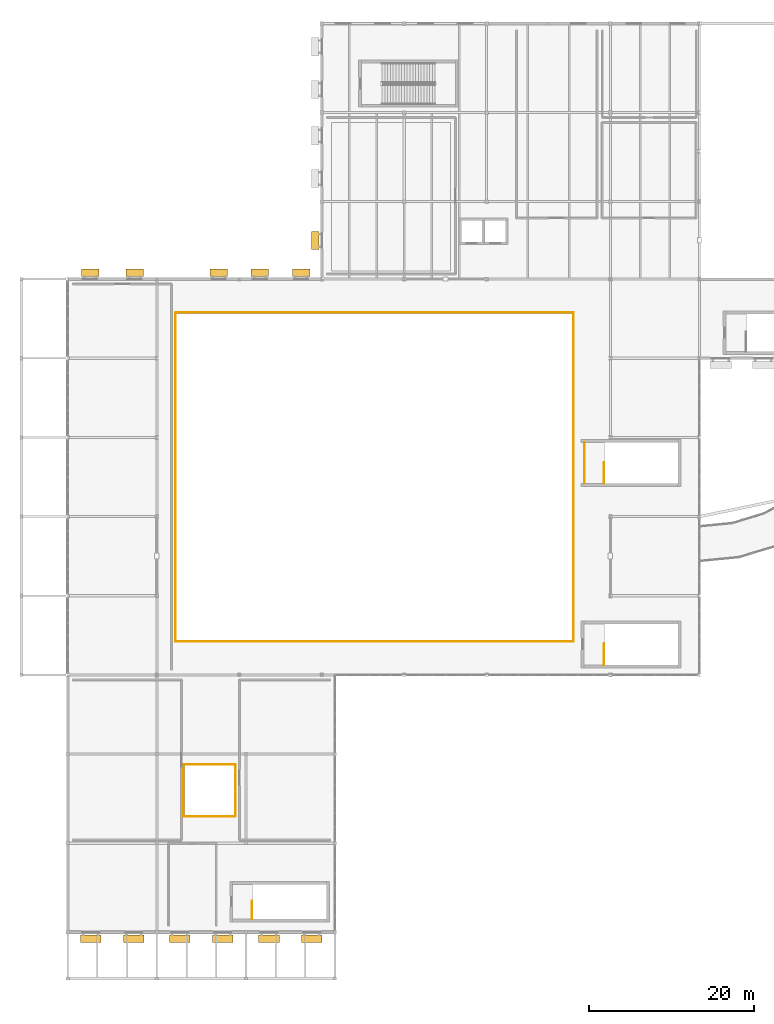
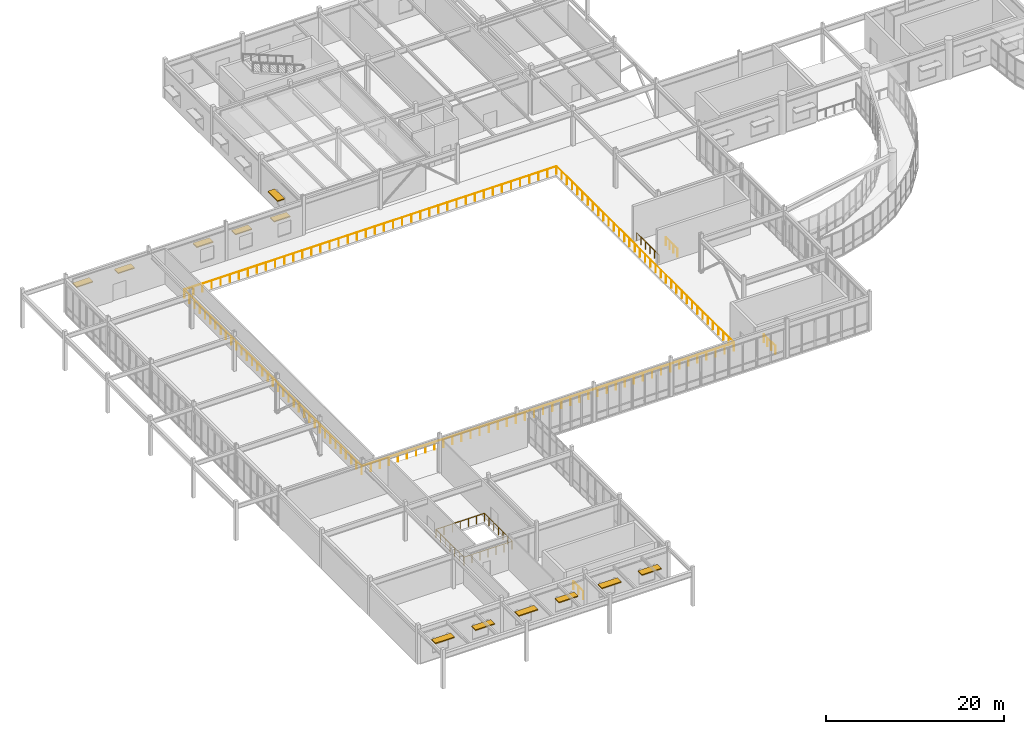
# One storey, part 63 of 68: 12 shading devices, 8 railings.
"""IFC4 building model written with IfcOpenShell, lengths in metres."""

from ifc_helpers import new_model, si_unit, direction, frame, origin, origin_2d, place, context, subcontext, project, spatial, rectangle, circle, extrude, material, type_object, element, save


model = new_model("IFC4")

# Units and contexts
model_context = context("Model", 3, precision=1e-05, world=origin(), true_north=direction((0.0, 1.0)))
body_context = subcontext(model_context, "Body", "Model", "MODEL_VIEW")
ifc_project = project(units=[si_unit("LENGTHUNIT", "METRE"), si_unit("AREAUNIT", "SQUARE_METRE"), si_unit("VOLUMEUNIT", "CUBIC_METRE"), si_unit("PLANEANGLEUNIT", "RADIAN"), si_unit("MASSUNIT", "GRAM", prefix="KILO")], contexts=[model_context])

# Site, building, storey
site_placement = place(None, origin())
site = spatial("IfcSite", under=ifc_project, at=site_placement, CompositionType="ELEMENT")
building_placement = place(site_placement, origin())
building = spatial("IfcBuilding", under=site, at=building_placement, Name="Veldera Park Congress Hotel", CompositionType="ELEMENT")
storey_placement = place(building_placement, frame((0.0, 0.0, 10.800048828125)))
storey = spatial("IfcBuildingStorey", under=building, at=storey_placement, Name="L02", CompositionType="ELEMENT", Elevation=10.800048828125)

# Railings
ifc_material_1 = material(Name="Steel ASTM A992 Gr.50", Category="steel")
railing_type_1 = type_object("IfcRailingType", Name="GRD-INT112", PredefinedType="GUARDRAIL", material=ifc_material_1)
railing_1_placement = place(storey_placement, frame((-65.14990234375, 22.909912109375, 0.0)))
element("IfcRailing", 1, at=railing_1_placement, inside=storey, type_object=railing_type_1, Name="L02 Atrium Void Guard GRD3-VOID-L02-V1-SW", PredefinedType="GUARDRAIL", context=body_context, shape_type="SweptSolid", body=[
    extrude(circle(Radius=0.02392578125, at=origin_2d()), frame((0.0, 0.0, 1.09619140625), z_axis=(0.0, -1.0, 0.0), x_axis=(1.0, 0.0, 0.0)), (0.0, 0.0, 1.0), 39.85986328125),
    extrude(circle(Radius=0.02392578125, at=origin_2d()), frame((0.0, -39.85986328125, 1.09619140625), z_axis=(1.0, 0.0, 0.0), x_axis=(0.0, 1.0, 0.0)), (0.0, 0.0, 1.0), 48.260009765625),
    extrude(circle(Radius=0.02099609375, at=origin_2d()), origin(), (0.0, 0.0, 1.0), 1.072021484375),
    extrude(circle(Radius=0.02099609375, at=origin_2d()), frame((0.0, -1.17236328125, 0.0)), (0.0, 0.0, 1.0), 1.072021484375),
    extrude(circle(Radius=0.02099609375, at=origin_2d()), frame((0.0, -2.3447265625, 0.0)), (0.0, 0.0, 1.0), 1.072021484375),
    extrude(circle(Radius=0.02099609375, at=origin_2d()), frame((0.0, -3.51708984375, 0.0)), (0.0, 0.0, 1.0), 1.072021484375),
    extrude(circle(Radius=0.02099609375, at=origin_2d()), frame((0.0, -4.689453125, 0.0)), (0.0, 0.0, 1.0), 1.072021484375),
    extrude(circle(Radius=0.02099609375, at=origin_2d()), frame((0.0, -5.86181640625, 0.0)), (0.0, 0.0, 1.0), 1.072021484375),
    extrude(circle(Radius=0.02099609375, at=origin_2d()), frame((0.0, -7.0341796875, 0.0)), (0.0, 0.0, 1.0), 1.072021484375),
    extrude(circle(Radius=0.02099609375, at=origin_2d()), frame((0.0, -8.20654296875, 0.0)), (0.0, 0.0, 1.0), 1.072021484375),
    extrude(circle(Radius=0.02099609375, at=origin_2d()), frame((0.0, -9.37890625, 0.0)), (0.0, 0.0, 1.0), 1.072021484375),
    extrude(circle(Radius=0.02099609375, at=origin_2d()), frame((0.0, -10.551025390625, 0.0)), (0.0, 0.0, 1.0), 1.072021484375),
    extrude(circle(Radius=0.02099609375, at=origin_2d()), frame((0.0, -11.723388671875, 0.0)), (0.0, 0.0, 1.0), 1.072021484375),
    extrude(circle(Radius=0.02099609375, at=origin_2d()), frame((0.0, -12.895751953125, 0.0)), (0.0, 0.0, 1.0), 1.072021484375),
    extrude(circle(Radius=0.02099609375, at=origin_2d()), frame((0.0, -14.068115234375, 0.0)), (0.0, 0.0, 1.0), 1.072021484375),
    extrude(circle(Radius=0.02099609375, at=origin_2d()), frame((0.0, -15.240478515625, 0.0)), (0.0, 0.0, 1.0), 1.072021484375),
    extrude(circle(Radius=0.02099609375, at=origin_2d()), frame((0.0, -16.412841796875, 0.0)), (0.0, 0.0, 1.0), 1.072021484375),
    extrude(circle(Radius=0.02099609375, at=origin_2d()), frame((0.0, -17.585205078125, 0.0)), (0.0, 0.0, 1.0), 1.072021484375),
    extrude(circle(Radius=0.02099609375, at=origin_2d()), frame((0.0, -18.757568359375, 0.0)), (0.0, 0.0, 1.0), 1.072021484375),
    extrude(circle(Radius=0.02099609375, at=origin_2d()), frame((0.0, -19.929931640625, 0.0)), (0.0, 0.0, 1.0), 1.072021484375),
    extrude(circle(Radius=0.02099609375, at=origin_2d()), frame((0.0, -21.102294921875, 0.0)), (0.0, 0.0, 1.0), 1.072021484375),
    extrude(circle(Radius=0.02099609375, at=origin_2d()), frame((0.0, -22.274658203125, 0.0)), (0.0, 0.0, 1.0), 1.072021484375),
    extrude(circle(Radius=0.02099609375, at=origin_2d()), frame((0.0, -23.447021484375, 0.0)), (0.0, 0.0, 1.0), 1.072021484375),
    extrude(circle(Radius=0.02099609375, at=origin_2d()), frame((0.0, -24.619384765625, 0.0)), (0.0, 0.0, 1.0), 1.072021484375),
    extrude(circle(Radius=0.02099609375, at=origin_2d()), frame((0.0, -25.791748046875, 0.0)), (0.0, 0.0, 1.0), 1.072021484375),
    extrude(circle(Radius=0.02099609375, at=origin_2d()), frame((0.0, -26.964111328125, 0.0)), (0.0, 0.0, 1.0), 1.072021484375),
    extrude(circle(Radius=0.02099609375, at=origin_2d()), frame((0.0, -28.136474609375, 0.0)), (0.0, 0.0, 1.0), 1.072021484375),
    extrude(circle(Radius=0.02099609375, at=origin_2d()), frame((0.0, -29.308837890625, 0.0)), (0.0, 0.0, 1.0), 1.072021484375),
    extrude(circle(Radius=0.02099609375, at=origin_2d()), frame((0.0, -30.48095703125, 0.0)), (0.0, 0.0, 1.0), 1.072021484375),
    extrude(circle(Radius=0.02099609375, at=origin_2d()), frame((0.0, -31.6533203125, 0.0)), (0.0, 0.0, 1.0), 1.072021484375),
    extrude(circle(Radius=0.02099609375, at=origin_2d()), frame((0.0, -32.82568359375, 0.0)), (0.0, 0.0, 1.0), 1.072021484375),
    extrude(circle(Radius=0.02099609375, at=origin_2d()), frame((0.0, -33.998046875, 0.0)), (0.0, 0.0, 1.0), 1.072021484375),
    extrude(circle(Radius=0.02099609375, at=origin_2d()), frame((0.0, -35.17041015625, 0.0)), (0.0, 0.0, 1.0), 1.072021484375),
    extrude(circle(Radius=0.02099609375, at=origin_2d()), frame((0.0, -36.3427734375, 0.0)), (0.0, 0.0, 1.0), 1.072021484375),
    extrude(circle(Radius=0.02099609375, at=origin_2d()), frame((0.0, -37.51513671875, 0.0)), (0.0, 0.0, 1.0), 1.072021484375),
    extrude(circle(Radius=0.02099609375, at=origin_2d()), frame((0.0, -38.6875, 0.0)), (0.0, 0.0, 1.0), 1.072021484375),
    extrude(circle(Radius=0.02099609375, at=origin_2d()), frame((0.0, -39.85986328125, 0.0)), (0.0, 0.0, 1.0), 1.072021484375),
    extrude(circle(Radius=0.02099609375, at=origin_2d()), frame((1.177001953125, -39.85986328125, 0.0)), (0.0, 0.0, 1.0), 1.072021484375),
    extrude(circle(Radius=0.02099609375, at=origin_2d()), frame((2.354248046875, -39.85986328125, 0.0)), (0.0, 0.0, 1.0), 1.072021484375),
    extrude(circle(Radius=0.02099609375, at=origin_2d()), frame((3.53125, -39.85986328125, 0.0)), (0.0, 0.0, 1.0), 1.072021484375),
    extrude(circle(Radius=0.02099609375, at=origin_2d()), frame((4.708251953125, -39.85986328125, 0.0)), (0.0, 0.0, 1.0), 1.072021484375),
    extrude(circle(Radius=0.02099609375, at=origin_2d()), frame((5.88525390625, -39.85986328125, 0.0)), (0.0, 0.0, 1.0), 1.072021484375),
    extrude(circle(Radius=0.02099609375, at=origin_2d()), frame((7.0625, -39.85986328125, 0.0)), (0.0, 0.0, 1.0), 1.072021484375),
    extrude(circle(Radius=0.02099609375, at=origin_2d()), frame((8.239501953125, -39.85986328125, 0.0)), (0.0, 0.0, 1.0), 1.072021484375),
    extrude(circle(Radius=0.02099609375, at=origin_2d()), frame((9.41650390625, -39.85986328125, 0.0)), (0.0, 0.0, 1.0), 1.072021484375),
    extrude(circle(Radius=0.02099609375, at=origin_2d()), frame((10.59375, -39.85986328125, 0.0)), (0.0, 0.0, 1.0), 1.072021484375),
    extrude(circle(Radius=0.02099609375, at=origin_2d()), frame((11.770751953125, -39.85986328125, 0.0)), (0.0, 0.0, 1.0), 1.072021484375),
    extrude(circle(Radius=0.02099609375, at=origin_2d()), frame((12.94775390625, -39.85986328125, 0.0)), (0.0, 0.0, 1.0), 1.072021484375),
    extrude(circle(Radius=0.02099609375, at=origin_2d()), frame((14.125, -39.85986328125, 0.0)), (0.0, 0.0, 1.0), 1.072021484375),
    extrude(circle(Radius=0.02099609375, at=origin_2d()), frame((15.302001953125, -39.85986328125, 0.0)), (0.0, 0.0, 1.0), 1.072021484375),
    extrude(circle(Radius=0.02099609375, at=origin_2d()), frame((16.47900390625, -39.85986328125, 0.0)), (0.0, 0.0, 1.0), 1.072021484375),
    extrude(circle(Radius=0.02099609375, at=origin_2d()), frame((17.656005859375, -39.85986328125, 0.0)), (0.0, 0.0, 1.0), 1.072021484375),
    extrude(circle(Radius=0.02099609375, at=origin_2d()), frame((18.833251953125, -39.85986328125, 0.0)), (0.0, 0.0, 1.0), 1.072021484375),
    extrude(circle(Radius=0.02099609375, at=origin_2d()), frame((20.01025390625, -39.85986328125, 0.0)), (0.0, 0.0, 1.0), 1.072021484375),
    extrude(circle(Radius=0.02099609375, at=origin_2d()), frame((21.187255859375, -39.85986328125, 0.0)), (0.0, 0.0, 1.0), 1.072021484375),
    extrude(circle(Radius=0.02099609375, at=origin_2d()), frame((22.364501953125, -39.85986328125, 0.0)), (0.0, 0.0, 1.0), 1.072021484375),
    extrude(circle(Radius=0.02099609375, at=origin_2d()), frame((23.54150390625, -39.85986328125, 0.0)), (0.0, 0.0, 1.0), 1.072021484375),
    extrude(circle(Radius=0.02099609375, at=origin_2d()), frame((24.718505859375, -39.85986328125, 0.0)), (0.0, 0.0, 1.0), 1.072021484375),
    extrude(circle(Radius=0.02099609375, at=origin_2d()), frame((25.8955078125, -39.85986328125, 0.0)), (0.0, 0.0, 1.0), 1.072021484375),
    extrude(circle(Radius=0.02099609375, at=origin_2d()), frame((27.07275390625, -39.85986328125, 0.0)), (0.0, 0.0, 1.0), 1.072021484375),
    extrude(circle(Radius=0.02099609375, at=origin_2d()), frame((28.249755859375, -39.85986328125, 0.0)), (0.0, 0.0, 1.0), 1.072021484375),
    extrude(circle(Radius=0.02099609375, at=origin_2d()), frame((29.4267578125, -39.85986328125, 0.0)), (0.0, 0.0, 1.0), 1.072021484375),
    extrude(circle(Radius=0.02099609375, at=origin_2d()), frame((30.60400390625, -39.85986328125, 0.0)), (0.0, 0.0, 1.0), 1.072021484375),
    extrude(circle(Radius=0.02099609375, at=origin_2d()), frame((31.781005859375, -39.85986328125, 0.0)), (0.0, 0.0, 1.0), 1.072021484375),
    extrude(circle(Radius=0.02099609375, at=origin_2d()), frame((32.9580078125, -39.85986328125, 0.0)), (0.0, 0.0, 1.0), 1.072021484375),
    extrude(circle(Radius=0.02099609375, at=origin_2d()), frame((34.135009765625, -39.85986328125, 0.0)), (0.0, 0.0, 1.0), 1.072021484375),
    extrude(circle(Radius=0.02099609375, at=origin_2d()), frame((35.312255859375, -39.85986328125, 0.0)), (0.0, 0.0, 1.0), 1.072021484375),
    extrude(circle(Radius=0.02099609375, at=origin_2d()), frame((36.4892578125, -39.85986328125, 0.0)), (0.0, 0.0, 1.0), 1.072021484375),
    extrude(circle(Radius=0.02099609375, at=origin_2d()), frame((37.666259765625, -39.85986328125, 0.0)), (0.0, 0.0, 1.0), 1.072021484375),
    extrude(circle(Radius=0.02099609375, at=origin_2d()), frame((38.843505859375, -39.85986328125, 0.0)), (0.0, 0.0, 1.0), 1.072021484375),
    extrude(circle(Radius=0.02099609375, at=origin_2d()), frame((40.0205078125, -39.85986328125, 0.0)), (0.0, 0.0, 1.0), 1.072021484375),
    extrude(circle(Radius=0.02099609375, at=origin_2d()), frame((41.197509765625, -39.85986328125, 0.0)), (0.0, 0.0, 1.0), 1.072021484375),
    extrude(circle(Radius=0.02099609375, at=origin_2d()), frame((42.374755859375, -39.85986328125, 0.0)), (0.0, 0.0, 1.0), 1.072021484375),
    extrude(circle(Radius=0.02099609375, at=origin_2d()), frame((43.5517578125, -39.85986328125, 0.0)), (0.0, 0.0, 1.0), 1.072021484375),
    extrude(circle(Radius=0.02099609375, at=origin_2d()), frame((44.728759765625, -39.85986328125, 0.0)), (0.0, 0.0, 1.0), 1.072021484375),
    extrude(circle(Radius=0.02099609375, at=origin_2d()), frame((45.90576171875, -39.85986328125, 0.0)), (0.0, 0.0, 1.0), 1.072021484375),
    extrude(circle(Radius=0.02099609375, at=origin_2d()), frame((47.0830078125, -39.85986328125, 0.0)), (0.0, 0.0, 1.0), 1.072021484375),
    extrude(circle(Radius=0.02099609375, at=origin_2d()), frame((48.260009765625, -39.85986328125, 0.0)), (0.0, 0.0, 1.0), 1.072021484375),
])
railing_2_placement = place(storey_placement, frame((-16.85009765625, -16.909912109375, 0.0)))
element("IfcRailing", 2, at=railing_2_placement, inside=storey, type_object=railing_type_1, Name="L02 Atrium Void Guard GRD3-VOID-L02-V1-NE", PredefinedType="GUARDRAIL", context=body_context, shape_type="SweptSolid", body=[
    extrude(circle(Radius=0.02392578125, at=origin_2d()), frame((0.0, 0.0, 1.09619140625), z_axis=(0.0, 1.0, 0.0), x_axis=(-1.0, 0.0, 0.0)), (0.0, 0.0, 1.0), 39.85986328125),
    extrude(circle(Radius=0.02392578125, at=origin_2d()), frame((0.0, 39.85986328125, 1.09619140625), z_axis=(-1.0, 0.0, 0.0), x_axis=(0.0, -1.0, 0.0)), (0.0, 0.0, 1.0), 48.260009765625),
    extrude(circle(Radius=0.02099609375, at=origin_2d()), origin(), (0.0, 0.0, 1.0), 1.072021484375),
    extrude(circle(Radius=0.02099609375, at=origin_2d()), frame((0.0, 1.17236328125, 0.0)), (0.0, 0.0, 1.0), 1.072021484375),
    extrude(circle(Radius=0.02099609375, at=origin_2d()), frame((0.0, 2.3447265625, 0.0)), (0.0, 0.0, 1.0), 1.072021484375),
    extrude(circle(Radius=0.02099609375, at=origin_2d()), frame((0.0, 3.51708984375, 0.0)), (0.0, 0.0, 1.0), 1.072021484375),
    extrude(circle(Radius=0.02099609375, at=origin_2d()), frame((0.0, 4.689453125, 0.0)), (0.0, 0.0, 1.0), 1.072021484375),
    extrude(circle(Radius=0.02099609375, at=origin_2d()), frame((0.0, 5.86181640625, 0.0)), (0.0, 0.0, 1.0), 1.072021484375),
    extrude(circle(Radius=0.02099609375, at=origin_2d()), frame((0.0, 7.0341796875, 0.0)), (0.0, 0.0, 1.0), 1.072021484375),
    extrude(circle(Radius=0.02099609375, at=origin_2d()), frame((0.0, 8.20654296875, 0.0)), (0.0, 0.0, 1.0), 1.072021484375),
    extrude(circle(Radius=0.02099609375, at=origin_2d()), frame((0.0, 9.37890625, 0.0)), (0.0, 0.0, 1.0), 1.072021484375),
    extrude(circle(Radius=0.02099609375, at=origin_2d()), frame((0.0, 10.551025390625, 0.0)), (0.0, 0.0, 1.0), 1.072021484375),
    extrude(circle(Radius=0.02099609375, at=origin_2d()), frame((0.0, 11.723388671875, 0.0)), (0.0, 0.0, 1.0), 1.072021484375),
    extrude(circle(Radius=0.02099609375, at=origin_2d()), frame((0.0, 12.895751953125, 0.0)), (0.0, 0.0, 1.0), 1.072021484375),
    extrude(circle(Radius=0.02099609375, at=origin_2d()), frame((0.0, 14.068115234375, 0.0)), (0.0, 0.0, 1.0), 1.072021484375),
    extrude(circle(Radius=0.02099609375, at=origin_2d()), frame((0.0, 15.240478515625, 0.0)), (0.0, 0.0, 1.0), 1.072021484375),
    extrude(circle(Radius=0.02099609375, at=origin_2d()), frame((0.0, 16.412841796875, 0.0)), (0.0, 0.0, 1.0), 1.072021484375),
    extrude(circle(Radius=0.02099609375, at=origin_2d()), frame((0.0, 17.585205078125, 0.0)), (0.0, 0.0, 1.0), 1.072021484375),
    extrude(circle(Radius=0.02099609375, at=origin_2d()), frame((0.0, 18.757568359375, 0.0)), (0.0, 0.0, 1.0), 1.072021484375),
    extrude(circle(Radius=0.02099609375, at=origin_2d()), frame((0.0, 19.929931640625, 0.0)), (0.0, 0.0, 1.0), 1.072021484375),
    extrude(circle(Radius=0.02099609375, at=origin_2d()), frame((0.0, 21.102294921875, 0.0)), (0.0, 0.0, 1.0), 1.072021484375),
    extrude(circle(Radius=0.02099609375, at=origin_2d()), frame((0.0, 22.274658203125, 0.0)), (0.0, 0.0, 1.0), 1.072021484375),
    extrude(circle(Radius=0.02099609375, at=origin_2d()), frame((0.0, 23.447021484375, 0.0)), (0.0, 0.0, 1.0), 1.072021484375),
    extrude(circle(Radius=0.02099609375, at=origin_2d()), frame((0.0, 24.619384765625, 0.0)), (0.0, 0.0, 1.0), 1.072021484375),
    extrude(circle(Radius=0.02099609375, at=origin_2d()), frame((0.0, 25.791748046875, 0.0)), (0.0, 0.0, 1.0), 1.072021484375),
    extrude(circle(Radius=0.02099609375, at=origin_2d()), frame((0.0, 26.964111328125, 0.0)), (0.0, 0.0, 1.0), 1.072021484375),
    extrude(circle(Radius=0.02099609375, at=origin_2d()), frame((0.0, 28.136474609375, 0.0)), (0.0, 0.0, 1.0), 1.072021484375),
    extrude(circle(Radius=0.02099609375, at=origin_2d()), frame((0.0, 29.308837890625, 0.0)), (0.0, 0.0, 1.0), 1.072021484375),
    extrude(circle(Radius=0.02099609375, at=origin_2d()), frame((0.0, 30.48095703125, 0.0)), (0.0, 0.0, 1.0), 1.072021484375),
    extrude(circle(Radius=0.02099609375, at=origin_2d()), frame((0.0, 31.6533203125, 0.0)), (0.0, 0.0, 1.0), 1.072021484375),
    extrude(circle(Radius=0.02099609375, at=origin_2d()), frame((0.0, 32.82568359375, 0.0)), (0.0, 0.0, 1.0), 1.072021484375),
    extrude(circle(Radius=0.02099609375, at=origin_2d()), frame((0.0, 33.998046875, 0.0)), (0.0, 0.0, 1.0), 1.072021484375),
    extrude(circle(Radius=0.02099609375, at=origin_2d()), frame((0.0, 35.17041015625, 0.0)), (0.0, 0.0, 1.0), 1.072021484375),
    extrude(circle(Radius=0.02099609375, at=origin_2d()), frame((0.0, 36.3427734375, 0.0)), (0.0, 0.0, 1.0), 1.072021484375),
    extrude(circle(Radius=0.02099609375, at=origin_2d()), frame((0.0, 37.51513671875, 0.0)), (0.0, 0.0, 1.0), 1.072021484375),
    extrude(circle(Radius=0.02099609375, at=origin_2d()), frame((0.0, 38.6875, 0.0)), (0.0, 0.0, 1.0), 1.072021484375),
    extrude(circle(Radius=0.02099609375, at=origin_2d()), frame((0.0, 39.85986328125, 0.0)), (0.0, 0.0, 1.0), 1.072021484375),
    extrude(circle(Radius=0.02099609375, at=origin_2d()), frame((-1.177001953125, 39.85986328125, 0.0)), (0.0, 0.0, 1.0), 1.072021484375),
    extrude(circle(Radius=0.02099609375, at=origin_2d()), frame((-2.354248046875, 39.85986328125, 0.0)), (0.0, 0.0, 1.0), 1.072021484375),
    extrude(circle(Radius=0.02099609375, at=origin_2d()), frame((-3.53125, 39.85986328125, 0.0)), (0.0, 0.0, 1.0), 1.072021484375),
    extrude(circle(Radius=0.02099609375, at=origin_2d()), frame((-4.708251953125, 39.85986328125, 0.0)), (0.0, 0.0, 1.0), 1.072021484375),
    extrude(circle(Radius=0.02099609375, at=origin_2d()), frame((-5.88525390625, 39.85986328125, 0.0)), (0.0, 0.0, 1.0), 1.072021484375),
    extrude(circle(Radius=0.02099609375, at=origin_2d()), frame((-7.0625, 39.85986328125, 0.0)), (0.0, 0.0, 1.0), 1.072021484375),
    extrude(circle(Radius=0.02099609375, at=origin_2d()), frame((-8.239501953125, 39.85986328125, 0.0)), (0.0, 0.0, 1.0), 1.072021484375),
    extrude(circle(Radius=0.02099609375, at=origin_2d()), frame((-9.41650390625, 39.85986328125, 0.0)), (0.0, 0.0, 1.0), 1.072021484375),
    extrude(circle(Radius=0.02099609375, at=origin_2d()), frame((-10.59375, 39.85986328125, 0.0)), (0.0, 0.0, 1.0), 1.072021484375),
    extrude(circle(Radius=0.02099609375, at=origin_2d()), frame((-11.770751953125, 39.85986328125, 0.0)), (0.0, 0.0, 1.0), 1.072021484375),
    extrude(circle(Radius=0.02099609375, at=origin_2d()), frame((-12.94775390625, 39.85986328125, 0.0)), (0.0, 0.0, 1.0), 1.072021484375),
    extrude(circle(Radius=0.02099609375, at=origin_2d()), frame((-14.125, 39.85986328125, 0.0)), (0.0, 0.0, 1.0), 1.072021484375),
    extrude(circle(Radius=0.02099609375, at=origin_2d()), frame((-15.302001953125, 39.85986328125, 0.0)), (0.0, 0.0, 1.0), 1.072021484375),
    extrude(circle(Radius=0.02099609375, at=origin_2d()), frame((-16.47900390625, 39.85986328125, 0.0)), (0.0, 0.0, 1.0), 1.072021484375),
    extrude(circle(Radius=0.02099609375, at=origin_2d()), frame((-17.656005859375, 39.85986328125, 0.0)), (0.0, 0.0, 1.0), 1.072021484375),
    extrude(circle(Radius=0.02099609375, at=origin_2d()), frame((-18.833251953125, 39.85986328125, 0.0)), (0.0, 0.0, 1.0), 1.072021484375),
    extrude(circle(Radius=0.02099609375, at=origin_2d()), frame((-20.01025390625, 39.85986328125, 0.0)), (0.0, 0.0, 1.0), 1.072021484375),
    extrude(circle(Radius=0.02099609375, at=origin_2d()), frame((-21.187255859375, 39.85986328125, 0.0)), (0.0, 0.0, 1.0), 1.072021484375),
    extrude(circle(Radius=0.02099609375, at=origin_2d()), frame((-22.364501953125, 39.85986328125, 0.0)), (0.0, 0.0, 1.0), 1.072021484375),
    extrude(circle(Radius=0.02099609375, at=origin_2d()), frame((-23.54150390625, 39.85986328125, 0.0)), (0.0, 0.0, 1.0), 1.072021484375),
    extrude(circle(Radius=0.02099609375, at=origin_2d()), frame((-24.718505859375, 39.85986328125, 0.0)), (0.0, 0.0, 1.0), 1.072021484375),
    extrude(circle(Radius=0.02099609375, at=origin_2d()), frame((-25.8955078125, 39.85986328125, 0.0)), (0.0, 0.0, 1.0), 1.072021484375),
    extrude(circle(Radius=0.02099609375, at=origin_2d()), frame((-27.07275390625, 39.85986328125, 0.0)), (0.0, 0.0, 1.0), 1.072021484375),
    extrude(circle(Radius=0.02099609375, at=origin_2d()), frame((-28.249755859375, 39.85986328125, 0.0)), (0.0, 0.0, 1.0), 1.072021484375),
    extrude(circle(Radius=0.02099609375, at=origin_2d()), frame((-29.4267578125, 39.85986328125, 0.0)), (0.0, 0.0, 1.0), 1.072021484375),
    extrude(circle(Radius=0.02099609375, at=origin_2d()), frame((-30.60400390625, 39.85986328125, 0.0)), (0.0, 0.0, 1.0), 1.072021484375),
    extrude(circle(Radius=0.02099609375, at=origin_2d()), frame((-31.781005859375, 39.85986328125, 0.0)), (0.0, 0.0, 1.0), 1.072021484375),
    extrude(circle(Radius=0.02099609375, at=origin_2d()), frame((-32.9580078125, 39.85986328125, 0.0)), (0.0, 0.0, 1.0), 1.072021484375),
    extrude(circle(Radius=0.02099609375, at=origin_2d()), frame((-34.135009765625, 39.85986328125, 0.0)), (0.0, 0.0, 1.0), 1.072021484375),
    extrude(circle(Radius=0.02099609375, at=origin_2d()), frame((-35.312255859375, 39.85986328125, 0.0)), (0.0, 0.0, 1.0), 1.072021484375),
    extrude(circle(Radius=0.02099609375, at=origin_2d()), frame((-36.4892578125, 39.85986328125, 0.0)), (0.0, 0.0, 1.0), 1.072021484375),
    extrude(circle(Radius=0.02099609375, at=origin_2d()), frame((-37.666259765625, 39.85986328125, 0.0)), (0.0, 0.0, 1.0), 1.072021484375),
    extrude(circle(Radius=0.02099609375, at=origin_2d()), frame((-38.843505859375, 39.85986328125, 0.0)), (0.0, 0.0, 1.0), 1.072021484375),
    extrude(circle(Radius=0.02099609375, at=origin_2d()), frame((-40.0205078125, 39.85986328125, 0.0)), (0.0, 0.0, 1.0), 1.072021484375),
    extrude(circle(Radius=0.02099609375, at=origin_2d()), frame((-41.197509765625, 39.85986328125, 0.0)), (0.0, 0.0, 1.0), 1.072021484375),
    extrude(circle(Radius=0.02099609375, at=origin_2d()), frame((-42.374755859375, 39.85986328125, 0.0)), (0.0, 0.0, 1.0), 1.072021484375),
    extrude(circle(Radius=0.02099609375, at=origin_2d()), frame((-43.5517578125, 39.85986328125, 0.0)), (0.0, 0.0, 1.0), 1.072021484375),
    extrude(circle(Radius=0.02099609375, at=origin_2d()), frame((-44.728759765625, 39.85986328125, 0.0)), (0.0, 0.0, 1.0), 1.072021484375),
    extrude(circle(Radius=0.02099609375, at=origin_2d()), frame((-45.90576171875, 39.85986328125, 0.0)), (0.0, 0.0, 1.0), 1.072021484375),
    extrude(circle(Radius=0.02099609375, at=origin_2d()), frame((-47.0830078125, 39.85986328125, 0.0)), (0.0, 0.0, 1.0), 1.072021484375),
    extrude(circle(Radius=0.02099609375, at=origin_2d()), frame((-48.260009765625, 39.85986328125, 0.0)), (0.0, 0.0, 1.0), 1.072021484375),
])
railing_3_placement = place(storey_placement, frame((-64.14990234375, -31.889892578125, 0.0)))
element("IfcRailing", 3, at=railing_3_placement, inside=storey, type_object=railing_type_1, Name="L02 Atrium Void Guard GRD3-VOID-L02-V3-SW", PredefinedType="GUARDRAIL", context=body_context, shape_type="SweptSolid", body=[
    extrude(circle(Radius=0.02392578125, at=origin_2d()), frame((0.0, 0.0, 1.09619140625), z_axis=(0.0, -1.0, 0.0), x_axis=(1.0, 0.0, 0.0)), (0.0, 0.0, 1.0), 6.260009765625),
    extrude(circle(Radius=0.02392578125, at=origin_2d()), frame((0.0, -6.260009765625, 1.09619140625), z_axis=(1.0, 0.0, 0.0), x_axis=(0.0, 1.0, 0.0)), (0.0, 0.0, 1.0), 6.260009765625),
    extrude(circle(Radius=0.02099609375, at=origin_2d()), origin(), (0.0, 0.0, 1.0), 1.072021484375),
    extrude(circle(Radius=0.02099609375, at=origin_2d()), frame((0.0, -1.04345703125, 0.0)), (0.0, 0.0, 1.0), 1.072021484375),
    extrude(circle(Radius=0.02099609375, at=origin_2d()), frame((0.0, -2.086669921875, 0.0)), (0.0, 0.0, 1.0), 1.072021484375),
    extrude(circle(Radius=0.02099609375, at=origin_2d()), frame((0.0, -3.1298828125, 0.0)), (0.0, 0.0, 1.0), 1.072021484375),
    extrude(circle(Radius=0.02099609375, at=origin_2d()), frame((0.0, -4.17333984375, 0.0)), (0.0, 0.0, 1.0), 1.072021484375),
    extrude(circle(Radius=0.02099609375, at=origin_2d()), frame((0.0, -5.216796875, 0.0)), (0.0, 0.0, 1.0), 1.072021484375),
    extrude(circle(Radius=0.02099609375, at=origin_2d()), frame((0.0, -6.260009765625, 0.0)), (0.0, 0.0, 1.0), 1.072021484375),
    extrude(circle(Radius=0.02099609375, at=origin_2d()), frame((1.04345703125, -6.260009765625, 0.0)), (0.0, 0.0, 1.0), 1.072021484375),
    extrude(circle(Radius=0.02099609375, at=origin_2d()), frame((2.086669921875, -6.260009765625, 0.0)), (0.0, 0.0, 1.0), 1.072021484375),
    extrude(circle(Radius=0.02099609375, at=origin_2d()), frame((3.1298828125, -6.260009765625, 0.0)), (0.0, 0.0, 1.0), 1.072021484375),
    extrude(circle(Radius=0.02099609375, at=origin_2d()), frame((4.17333984375, -6.260009765625, 0.0)), (0.0, 0.0, 1.0), 1.072021484375),
    extrude(circle(Radius=0.02099609375, at=origin_2d()), frame((5.216796875, -6.260009765625, 0.0)), (0.0, 0.0, 1.0), 1.072021484375),
    extrude(circle(Radius=0.02099609375, at=origin_2d()), frame((6.260009765625, -6.260009765625, 0.0)), (0.0, 0.0, 1.0), 1.072021484375),
])
railing_4_placement = place(storey_placement, frame((-57.85009765625, -38.110107421875, 0.0)))
element("IfcRailing", 4, at=railing_4_placement, inside=storey, type_object=railing_type_1, Name="L02 Atrium Void Guard GRD3-VOID-L02-V3-NE", PredefinedType="GUARDRAIL", context=body_context, shape_type="SweptSolid", body=[
    extrude(circle(Radius=0.02392578125, at=origin_2d()), frame((0.0, 0.0, 1.09619140625), z_axis=(0.0, 1.0, 0.0), x_axis=(-1.0, 0.0, 0.0)), (0.0, 0.0, 1.0), 6.260009765625),
    extrude(circle(Radius=0.02392578125, at=origin_2d()), frame((0.0, 6.260009765625, 1.09619140625), z_axis=(-1.0, 0.0, 0.0), x_axis=(0.0, -1.0, 0.0)), (0.0, 0.0, 1.0), 6.260009765625),
    extrude(circle(Radius=0.02099609375, at=origin_2d()), origin(), (0.0, 0.0, 1.0), 1.072021484375),
    extrude(circle(Radius=0.02099609375, at=origin_2d()), frame((0.0, 1.04345703125, 0.0)), (0.0, 0.0, 1.0), 1.072021484375),
    extrude(circle(Radius=0.02099609375, at=origin_2d()), frame((0.0, 2.086669921875, 0.0)), (0.0, 0.0, 1.0), 1.072021484375),
    extrude(circle(Radius=0.02099609375, at=origin_2d()), frame((0.0, 3.1298828125, 0.0)), (0.0, 0.0, 1.0), 1.072021484375),
    extrude(circle(Radius=0.02099609375, at=origin_2d()), frame((0.0, 4.17333984375, 0.0)), (0.0, 0.0, 1.0), 1.072021484375),
    extrude(circle(Radius=0.02099609375, at=origin_2d()), frame((0.0, 5.216796875, 0.0)), (0.0, 0.0, 1.0), 1.072021484375),
    extrude(circle(Radius=0.02099609375, at=origin_2d()), frame((0.0, 6.260009765625, 0.0)), (0.0, 0.0, 1.0), 1.072021484375),
    extrude(circle(Radius=0.02099609375, at=origin_2d()), frame((-1.04345703125, 6.260009765625, 0.0)), (0.0, 0.0, 1.0), 1.072021484375),
    extrude(circle(Radius=0.02099609375, at=origin_2d()), frame((-2.086669921875, 6.260009765625, 0.0)), (0.0, 0.0, 1.0), 1.072021484375),
    extrude(circle(Radius=0.02099609375, at=origin_2d()), frame((-3.1298828125, 6.260009765625, 0.0)), (0.0, 0.0, 1.0), 1.072021484375),
    extrude(circle(Radius=0.02099609375, at=origin_2d()), frame((-4.17333984375, 6.260009765625, 0.0)), (0.0, 0.0, 1.0), 1.072021484375),
    extrude(circle(Radius=0.02099609375, at=origin_2d()), frame((-5.216796875, 6.260009765625, 0.0)), (0.0, 0.0, 1.0), 1.072021484375),
    extrude(circle(Radius=0.02099609375, at=origin_2d()), frame((-6.260009765625, 6.260009765625, 0.0)), (0.0, 0.0, 1.0), 1.072021484375),
])
railing_type_2 = type_object("IfcRailingType", Name="GRD-ST110", PredefinedType="GUARDRAIL", material=ifc_material_1)
railing_5_placement = place(storey_placement, frame((-13.14990234375, -19.800048828125, 0.0)))
element("IfcRailing", 5, at=railing_5_placement, inside=storey, type_object=railing_type_2, Name="L02 ST5 top well guard 1", PredefinedType="GUARDRAIL", context=body_context, shape_type="SweptSolid", body=[
    extrude(circle(Radius=0.02392578125, at=origin_2d()), frame((0.0, 0.0, 1.076171875), z_axis=(0.0, 1.0, 0.0), x_axis=(-1.0, 0.0, 0.0)), (0.0, 0.0, 1.0), 2.60009765625),
    extrude(circle(Radius=0.02099609375, at=origin_2d()), origin(), (0.0, 0.0, 1.0), 1.052001953125),
    extrude(circle(Radius=0.02099609375, at=origin_2d()), frame((0.0, 0.86669921875, 0.0)), (0.0, 0.0, 1.0), 1.052001953125),
    extrude(circle(Radius=0.02099609375, at=origin_2d()), frame((0.0, 1.7333984375, 0.0)), (0.0, 0.0, 1.0), 1.052001953125),
    extrude(circle(Radius=0.02099609375, at=origin_2d()), frame((0.0, 2.60009765625, 0.0)), (0.0, 0.0, 1.0), 1.052001953125),
])
railing_6_placement = place(storey_placement, frame((-55.85009765625, -50.60009765625, 0.0)))
element("IfcRailing", 6, at=railing_6_placement, inside=storey, type_object=railing_type_2, Name="L02 ST8 top well guard 1", PredefinedType="GUARDRAIL", context=body_context, shape_type="SweptSolid", body=[
    extrude(circle(Radius=0.02392578125, at=origin_2d()), frame((0.0, 0.0, 1.076171875), z_axis=(0.0, 1.0, 0.0), x_axis=(-1.0, 0.0, 0.0)), (0.0, 0.0, 1.0), 2.2001953125),
    extrude(circle(Radius=0.02099609375, at=origin_2d()), origin(), (0.0, 0.0, 1.0), 1.052001953125),
    extrude(circle(Radius=0.02099609375, at=origin_2d()), frame((0.0, 1.10009765625, 0.0)), (0.0, 0.0, 1.0), 1.052001953125),
    extrude(circle(Radius=0.02099609375, at=origin_2d()), frame((0.0, 2.2001953125, 0.0)), (0.0, 0.0, 1.0), 1.052001953125),
])
railing_7_placement = place(storey_placement, frame((-13.14990234375, 2.199951171875, 0.0)))
element("IfcRailing", 7, at=railing_7_placement, inside=storey, type_object=railing_type_2, Name="L02 ST9 top well guard 1", PredefinedType="GUARDRAIL", context=body_context, shape_type="SweptSolid", body=[
    extrude(circle(Radius=0.02392578125, at=origin_2d()), frame((0.0, 0.0, 1.076171875), z_axis=(0.0, 1.0, 0.0), x_axis=(-1.0, 0.0, 0.0)), (0.0, 0.0, 1.0), 2.60009765625),
    extrude(circle(Radius=0.02099609375, at=origin_2d()), origin(), (0.0, 0.0, 1.0), 1.052001953125),
    extrude(circle(Radius=0.02099609375, at=origin_2d()), frame((0.0, 0.86669921875, 0.0)), (0.0, 0.0, 1.0), 1.052001953125),
    extrude(circle(Radius=0.02099609375, at=origin_2d()), frame((0.0, 1.7333984375, 0.0)), (0.0, 0.0, 1.0), 1.052001953125),
    extrude(circle(Radius=0.02099609375, at=origin_2d()), frame((0.0, 2.60009765625, 0.0)), (0.0, 0.0, 1.0), 1.052001953125),
])
railing_8_placement = place(storey_placement, frame((-15.550048828125, 2.199951171875, 0.0)))
element("IfcRailing", 8, at=railing_8_placement, inside=storey, type_object=railing_type_2, Name="L02 ST9 top well guard 2", PredefinedType="GUARDRAIL", context=body_context, shape_type="SweptSolid", body=[
    extrude(circle(Radius=0.02392578125, at=origin_2d()), frame((0.0, 0.0, 1.076171875), z_axis=(0.0, 1.0, 0.0), x_axis=(-1.0, 0.0, 0.0)), (0.0, 0.0, 1.0), 5.0),
    extrude(circle(Radius=0.02099609375, at=origin_2d()), origin(), (0.0, 0.0, 1.0), 1.052001953125),
    extrude(circle(Radius=0.02099609375, at=origin_2d()), frame((0.0, 1.0, 0.0)), (0.0, 0.0, 1.0), 1.052001953125),
    extrude(circle(Radius=0.02099609375, at=origin_2d()), frame((0.0, 2.0, 0.0)), (0.0, 0.0, 1.0), 1.052001953125),
    extrude(circle(Radius=0.02099609375, at=origin_2d()), frame((0.0, 3.0, 0.0)), (0.0, 0.0, 1.0), 1.052001953125),
    extrude(circle(Radius=0.02099609375, at=origin_2d()), frame((0.0, 4.0, 0.0)), (0.0, 0.0, 1.0), 1.052001953125),
    extrude(circle(Radius=0.02099609375, at=origin_2d()), frame((0.0, 5.0, 0.0)), (0.0, 0.0, 1.0), 1.052001953125),
])

# Shading devices
ifc_material_2 = material(Name="Glulam GL28h (NDS 24F-V4)", Category="wood")
shading_device_type = type_object("IfcShadingDeviceType", Name="SHD-SHF450", PredefinedType="AWNING", material=ifc_material_2)
for number, where, z_axis, x_axis, name in (
    (9, (-49.903076171875, 27.780029296875, 2.68017578125), (0.0, 0.0, 1.0), (-1.0, 0.0, 0.0), "Glulam Solar Shade 59"),
    (10, (-54.89697265625, 27.780029296875, 2.68017578125), (0.0, 0.0, 1.0), (-1.0, 0.0, 0.0), "Glulam Solar Shade 60"),
    (11, (-59.90234375, 27.780029296875, 2.68017578125), (0.0, 0.0, 1.0), (-1.0, 0.0, 0.0), "Glulam Solar Shade 61"),
    (12, (-70.105712890625, 27.780029296875, 2.68017578125), (0.0, 0.0, 1.0), (-1.0, 0.0, 0.0), "Glulam Solar Shade 62"),
    (13, (-75.498291015625, 27.780029296875, 2.68017578125), (0.0, 0.0, 1.0), (-1.0, 0.0, 0.0), "Glulam Solar Shade 63"),
):
    element("IfcShadingDevice", number, at=place(storey_placement, frame(where, z_axis=z_axis, x_axis=x_axis)), inside=storey, type_object=shading_device_type, Name=name, PredefinedType="AWNING", context=body_context, shape_type="SweptSolid", body=[
        extrude(rectangle(XDim=2.1201171875, YDim=0.89990234375, at=origin_2d()), origin(), (0.0, 0.0, 1.0), 0.139892578125),
    ])
shading_device_placement = place(storey_placement, frame((-48.169921875, 31.680419921875, 2.7099609375), z_axis=(0.0, 0.0, 1.0), x_axis=(0.0, -1.0, 0.0)))
element("IfcShadingDevice", 14, at=shading_device_placement, inside=storey, type_object=shading_device_type, Name="Glulam Solar Shade 68", PredefinedType="AWNING", context=body_context, shape_type="SweptSolid", body=[
    extrude(rectangle(XDim=2.199951171875, YDim=0.89990234375, at=origin_2d()), origin(), (0.0, 0.0, 1.0), 0.139892578125),
])
for number, where, z_axis, x_axis, name in (
    (15, (-75.403564453125, -52.969970703125, 2.81005859375), (0.0, 0.0, 1.0), (1.0, 0.0, 0.0), "Glulam Solar Shade 75"),
    (16, (-70.196533203125, -52.969970703125, 2.81005859375), (0.0, 0.0, 1.0), (1.0, 0.0, 0.0), "Glulam Solar Shade 76"),
    (17, (-64.603515625, -52.969970703125, 2.81005859375), (0.0, 0.0, 1.0), (1.0, 0.0, 0.0), "Glulam Solar Shade 77"),
    (18, (-59.396484375, -52.969970703125, 2.81005859375), (0.0, 0.0, 1.0), (1.0, 0.0, 0.0), "Glulam Solar Shade 78"),
    (19, (-53.803466796875, -52.969970703125, 2.81005859375), (0.0, 0.0, 1.0), (1.0, 0.0, 0.0), "Glulam Solar Shade 79"),
    (20, (-48.596435546875, -52.969970703125, 2.81005859375), (0.0, 0.0, 1.0), (1.0, 0.0, 0.0), "Glulam Solar Shade 80"),
):
    element("IfcShadingDevice", number, at=place(storey_placement, frame(where, z_axis=z_axis, x_axis=x_axis)), inside=storey, type_object=shading_device_type, Name=name, PredefinedType="AWNING", context=body_context, shape_type="SweptSolid", body=[
        extrude(rectangle(XDim=2.5, YDim=0.89990234375, at=origin_2d()), origin(), (0.0, 0.0, 1.0), 0.139892578125),
    ])

save(model, "model.ifc")
